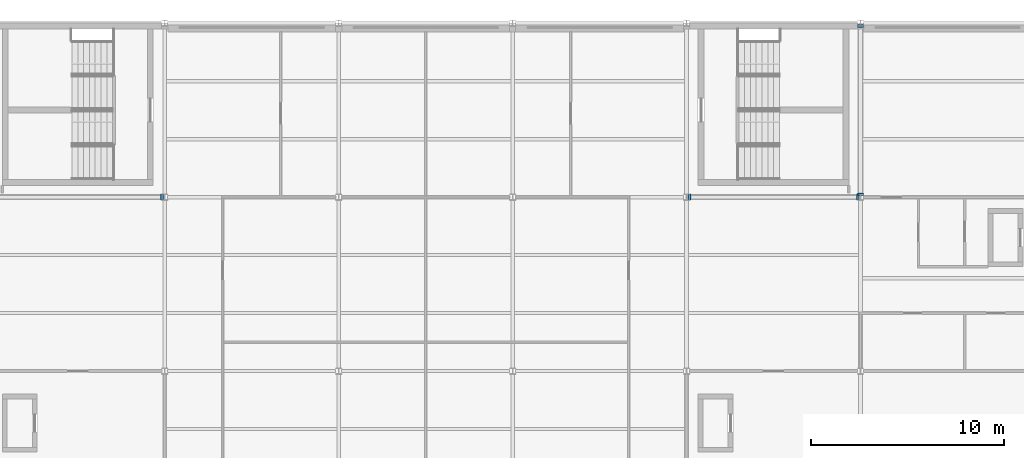
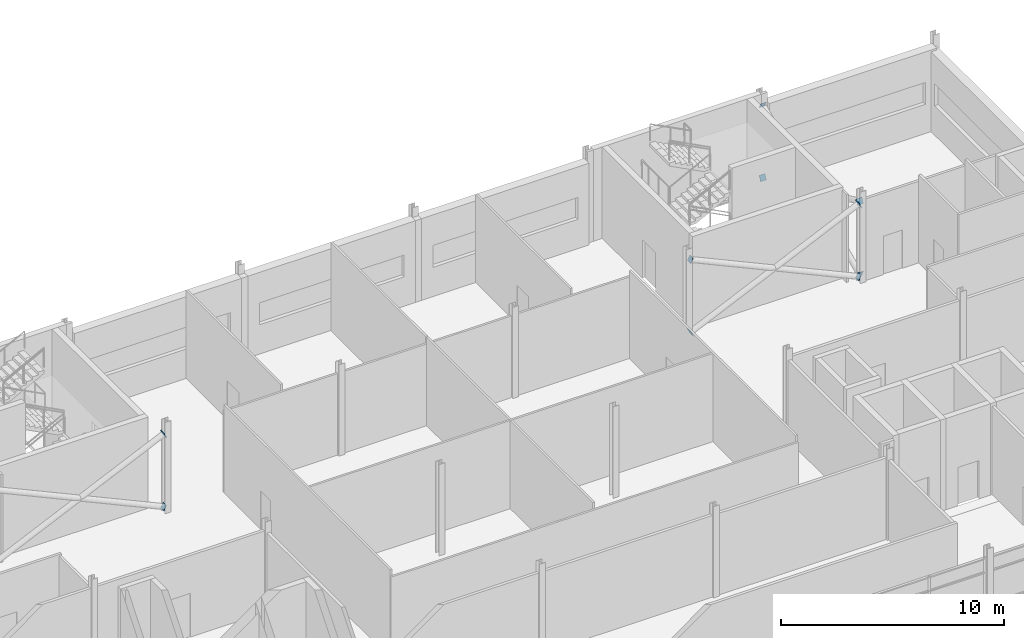
# One storey, part 106 of 115: 10 discrete accessories.
"""IFC4 building model written with IfcOpenShell, lengths in metres."""

from ifc_helpers import new_model, si_unit, direction, frame, origin, place, context, subcontext, project, spatial, polyline, outline, extrude, material, layer, layer_set, type_object, element, save


model = new_model("IFC4")

# Units and contexts
model_context = context("Model", 3, precision=1e-05, world=origin(), true_north=direction((0.0, 1.0)))
body_context = subcontext(model_context, "Body", "Model", "MODEL_VIEW")
ifc_project = project(units=[si_unit("LENGTHUNIT", "METRE"), si_unit("AREAUNIT", "SQUARE_METRE"), si_unit("VOLUMEUNIT", "CUBIC_METRE"), si_unit("PLANEANGLEUNIT", "RADIAN"), si_unit("MASSUNIT", "GRAM", prefix="KILO")], contexts=[model_context])

# Site, building, storey
site_placement = place(None, origin())
site = spatial("IfcSite", under=ifc_project, at=site_placement, CompositionType="ELEMENT")
building_placement = place(site_placement, origin())
building = spatial("IfcBuilding", under=site, at=building_placement, Name="Shorebreak Coast Museum", CompositionType="ELEMENT")
storey_placement = place(building_placement, frame((0.0, 0.0, 11.0)))
storey = spatial("IfcBuildingStorey", under=building, at=storey_placement, Name="L02", CompositionType="ELEMENT", Elevation=11.0)

# Discrete accessories
ifc_material = material(Name="Steel Grade 300", Category="steel")
ifc_layer = layer(ifc_material, 0.02490234375)
ifc_layer_set = layer_set([ifc_layer], Name="Steel Grade 300")
discrete_accessory_type = type_object("IfcDiscreteAccessoryType", Name="End plate 300 x 300 x 25", PredefinedType="BRACKET", material=ifc_layer_set)
discrete_accessory_1_placement = place(storey_placement, frame((71.931640625, 107.85009765625, 4.14892578125), z_axis=(0.909500839953, 0.0, 0.415702083378), x_axis=(0.0, 1.0, 0.0)))
element("IfcDiscreteAccessory", 1, at=discrete_accessory_1_placement, inside=storey, type_object=discrete_accessory_type, Name="End plate X-brace bay 09 L02 diagonal 1 end 2", PredefinedType="BRACKET", context=body_context, shape_type="SweptSolid", body=[
    extrude(outline(polyline([(0.0, 0.0), (0.2998046875, 0.0), (0.2998046875, 0.30010881437343706), (0.0, 0.30010881437343706), (0.0, 0.0)])), origin(), (0.0, 0.0, -1.0), 0.02490234375),
])
for number, where, z_axis, x_axis, name in (
    (2, (71.7841796875, 108.14990234375, 0.16357421875), (-0.909360103086, 0.0, 0.416009859156), (0.0, -1.0, 0.0), "End plate X-brace bay 09 L02 diagonal 2 end 1"),
    (3, (99.2158203125, 107.85009765625, 0.16357421875), (0.909360103086, 0.0, 0.416009859156), (0.0, 1.0, 0.0), "End plate X-brace bay 11 L02 diagonal 1 end 1"),
):
    element("IfcDiscreteAccessory", number, at=place(storey_placement, frame(where, z_axis=z_axis, x_axis=x_axis)), inside=storey, type_object=discrete_accessory_type, Name=name, PredefinedType="BRACKET", context=body_context, shape_type="SweptSolid", body=[
        extrude(outline(polyline([(0.0, 0.0), (0.2998046875, 0.0), (0.2998046875, 0.29988678544336883), (0.0, 0.29988678544336883), (0.0, 0.0)])), origin(), (0.0, 0.0, -1.0), 0.02490234375),
    ])
discrete_accessory_2_placement = place(storey_placement, frame((107.931640625, 107.85009765625, 4.14892578125), z_axis=(0.909500839953, 0.0, 0.415702083378), x_axis=(0.0, 1.0, 0.0)))
element("IfcDiscreteAccessory", 4, at=discrete_accessory_2_placement, inside=storey, type_object=discrete_accessory_type, Name="End plate X-brace bay 11 L02 diagonal 1 end 2", PredefinedType="BRACKET", context=body_context, shape_type="SweptSolid", body=[
    extrude(outline(polyline([(0.0, 0.0), (0.2998046875, 0.0), (0.2998046875, 0.30010881437343706), (0.0, 0.30010881437343706), (0.0, 0.0)])), origin(), (0.0, 0.0, -1.0), 0.02490234375),
])
discrete_accessory_3_placement = place(storey_placement, frame((107.7841796875, 108.14990234375, 0.16357421875), z_axis=(-0.909360103086, 0.0, 0.416009859156), x_axis=(0.0, -1.0, 0.0)))
element("IfcDiscreteAccessory", 5, at=discrete_accessory_3_placement, inside=storey, type_object=discrete_accessory_type, Name="End plate X-brace bay 11 L02 diagonal 2 end 1", PredefinedType="BRACKET", context=body_context, shape_type="SweptSolid", body=[
    extrude(outline(polyline([(0.0, 0.0), (0.2998046875, 0.0), (0.2998046875, 0.29988678544336883), (0.0, 0.29988678544336883), (0.0, 0.0)])), origin(), (0.0, 0.0, -1.0), 0.02490234375),
])
discrete_accessory_4_placement = place(storey_placement, frame((99.068359375, 108.14990234375, 4.14892578125), z_axis=(-0.909500839953, 0.0, 0.415702083378), x_axis=(0.0, -1.0, 0.0)))
element("IfcDiscreteAccessory", 6, at=discrete_accessory_4_placement, inside=storey, type_object=discrete_accessory_type, Name="End plate X-brace bay 11 L02 diagonal 2 end 2", PredefinedType="BRACKET", context=body_context, shape_type="SweptSolid", body=[
    extrude(outline(polyline([(0.0, 0.0), (0.2998046875, 0.0), (0.2998046875, 0.30010881437343706), (0.0, 0.30010881437343706), (0.0, 0.0)])), origin(), (0.0, 0.0, -1.0), 0.02490234375),
])
discrete_accessory_5_placement = place(storey_placement, frame((108.14990234375, 108.2197265625, 0.16357421875), z_axis=(0.0, 0.909051978606, 0.416682733255), x_axis=(-1.0, 0.0, 0.0)))
element("IfcDiscreteAccessory", 7, at=discrete_accessory_5_placement, inside=storey, type_object=discrete_accessory_type, Name="End plate X-brace bay 12 L02 diagonal 1 end 1", PredefinedType="BRACKET", context=body_context, shape_type="SweptSolid", body=[
    extrude(outline(polyline([(0.0, 0.0), (0.2998046875, 0.0), (0.2998046875, 0.2999884325022589), (0.0, 0.2999884325022589), (0.0, 0.0)])), origin(), (0.0, 0.0, -1.0), 0.02490234375),
])
discrete_accessory_6_placement = place(storey_placement, frame((108.14990234375, 116.921630859375, 4.14892578125), z_axis=(0.0, 0.909193123375, 0.416374668308), x_axis=(-1.0, 0.0, 0.0)))
element("IfcDiscreteAccessory", 8, at=discrete_accessory_6_placement, inside=storey, type_object=discrete_accessory_type, Name="End plate X-brace bay 12 L02 diagonal 1 end 2", PredefinedType="BRACKET", context=body_context, shape_type="SweptSolid", body=[
    extrude(outline(polyline([(0.0, 0.0), (0.2998046875, 0.0), (0.2998046875, 0.30021038625643076), (0.0, 0.30021038625643076), (0.0, 0.0)])), origin(), (0.0, 0.0, -1.0), 0.02490234375),
])
discrete_accessory_7_placement = place(storey_placement, frame((107.85009765625, 116.77392578125, 0.16357421875), z_axis=(0.0, -0.909051978606, 0.416682733255), x_axis=(1.0, 0.0, 0.0)))
element("IfcDiscreteAccessory", 9, at=discrete_accessory_7_placement, inside=storey, type_object=discrete_accessory_type, Name="End plate X-brace bay 12 L02 diagonal 2 end 1", PredefinedType="BRACKET", context=body_context, shape_type="SweptSolid", body=[
    extrude(outline(polyline([(0.0, 0.0), (0.2998046875, 0.0), (0.2998046875, 0.2999884325022589), (0.0, 0.2999884325022589), (0.0, 0.0)])), origin(), (0.0, 0.0, -1.0), 0.02490234375),
])
discrete_accessory_8_placement = place(storey_placement, frame((107.85009765625, 108.072021484375, 4.14892578125), z_axis=(0.0, -0.909193123375, 0.416374668308), x_axis=(1.0, 0.0, 0.0)))
element("IfcDiscreteAccessory", 10, at=discrete_accessory_8_placement, inside=storey, type_object=discrete_accessory_type, Name="End plate X-brace bay 12 L02 diagonal 2 end 2", PredefinedType="BRACKET", context=body_context, shape_type="SweptSolid", body=[
    extrude(outline(polyline([(0.0, 0.0), (0.2998046875, 0.0), (0.2998046875, 0.30021038625643076), (0.0, 0.30021038625643076), (0.0, 0.0)])), origin(), (0.0, 0.0, -1.0), 0.02490234375),
])

save(model, "model.ifc")
